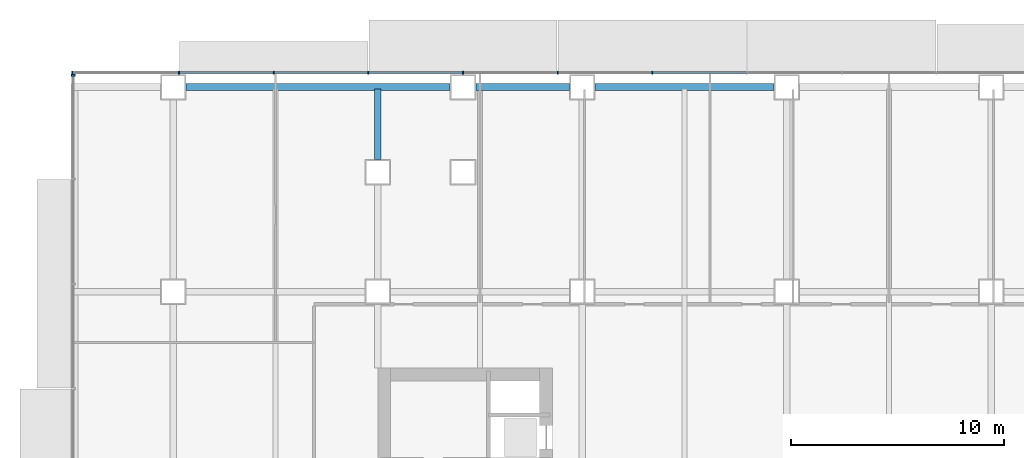
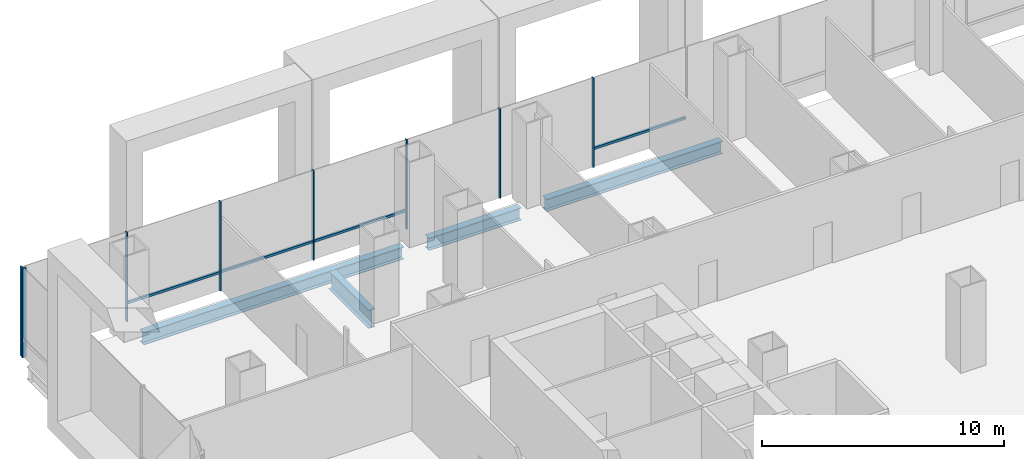
# One storey, part 7 of 23: 12 members, 4 beams, 2 elements without a shape of their own.
"""IFC4 building model written with IfcOpenShell, lengths in metres."""

from ifc_helpers import new_model, si_unit, direction, frame, origin, origin_2d, place, context, subcontext, project, spatial, rectangle, i_section, extrude, material, material_profile, profile_set, type_object, element, aggregate, save


model = new_model("IFC4")

# Units and contexts
model_context = context("Model", 3, precision=1e-05, world=origin(), true_north=direction((0.0, 1.0)))
body_context = subcontext(model_context, "Body", "Model", "MODEL_VIEW")
ifc_project = project(units=[si_unit("LENGTHUNIT", "METRE"), si_unit("AREAUNIT", "SQUARE_METRE"), si_unit("VOLUMEUNIT", "CUBIC_METRE"), si_unit("PLANEANGLEUNIT", "RADIAN"), si_unit("MASSUNIT", "GRAM", prefix="KILO")], contexts=[model_context])

# Site, building, storey
site_placement = place(None, origin())
site = spatial("IfcSite", under=ifc_project, at=site_placement, CompositionType="ELEMENT")
building_placement = place(site_placement, origin())
building = spatial("IfcBuilding", under=site, at=building_placement, Name="Cobrizo Arcos Hotel Tower", CompositionType="ELEMENT")
storey_placement = place(building_placement, frame((0.0, 0.0, 15.5)))
storey = spatial("IfcBuildingStorey", under=building, at=storey_placement, Name="L02", CompositionType="ELEMENT", Elevation=15.5)

# Curtain wall, members
ifc_material_1 = material(Name="Aluminium 6063-T6 anodised bronze", Category="aluminium")
curtain_wall_type_1 = type_object("IfcCurtainWallType", Name="CW-A guest facade", PredefinedType="NOTDEFINED", material=ifc_material_1)
curtain_wall_1_placement = place(storey_placement, origin())
curtain_wall_1 = element("IfcCurtainWall", 1, at=curtain_wall_1_placement, inside=storey, type_object=curtain_wall_type_1, Name="CW-A L02 N face", PredefinedType="NOTDEFINED")
ifc_material_profile_1 = material_profile(ifc_material_1, rectangle(XDim=0.14990234375, YDim=0.06005859375, at=origin_2d()), Name="CW-A mullion 150x60")
ifc_profile_set_1 = profile_set([ifc_material_profile_1], Name="Aluminium 6063-T6 anodised bronze")
member_type_1 = type_object("IfcMemberType", Name="CW-A mullion 150x60", PredefinedType="MULLION", material=ifc_profile_set_1)
member_1_placement = place(storey_placement, frame((-11.111083984375, 24.675048828125, 0.0), z_axis=(0.0, 0.0, 1.0), x_axis=(0.0, 1.0, 0.0)))
member_1 = element("IfcMember", 2, at=member_1_placement, type_object=member_type_1, Name="CW-A mullion 12", PredefinedType="MULLION", context=body_context, shape_type="SweptSolid", body=[
    extrude(rectangle(XDim=0.14990234375, YDim=0.06005859375, at=origin_2d()), origin(), (0.0, 0.0, 1.0), 4.5),
])
member_2_placement = place(storey_placement, frame((-15.5556640625, 24.675048828125, 0.0), z_axis=(0.0, 0.0, 1.0), x_axis=(0.0, 1.0, 0.0)))
member_2 = element("IfcMember", 3, at=member_2_placement, type_object=member_type_1, Name="CW-A mullion 13", PredefinedType="MULLION", context=body_context, shape_type="SweptSolid", body=[
    extrude(rectangle(XDim=0.14990234375, YDim=0.06005859375, at=origin_2d()), origin(), (0.0, 0.0, 1.0), 4.5),
])
member_3_placement = place(storey_placement, frame((-20.0, 24.675048828125, 0.0), z_axis=(0.0, 0.0, 1.0), x_axis=(0.0, 1.0, 0.0)))
member_3 = element("IfcMember", 4, at=member_3_placement, type_object=member_type_1, Name="CW-A mullion 14", PredefinedType="MULLION", context=body_context, shape_type="SweptSolid", body=[
    extrude(rectangle(XDim=0.14990234375, YDim=0.06005859375, at=origin_2d()), origin(), (0.0, 0.0, 1.0), 4.5),
])
member_4_placement = place(storey_placement, frame((-24.4443359375, 24.675048828125, 0.0), z_axis=(0.0, 0.0, 1.0), x_axis=(0.0, 1.0, 0.0)))
member_4 = element("IfcMember", 5, at=member_4_placement, type_object=member_type_1, Name="CW-A mullion 15", PredefinedType="MULLION", context=body_context, shape_type="SweptSolid", body=[
    extrude(rectangle(XDim=0.14990234375, YDim=0.06005859375, at=origin_2d()), origin(), (0.0, 0.0, 1.0), 4.5),
])
member_5_placement = place(storey_placement, frame((-28.888916015625, 24.675048828125, 0.0), z_axis=(0.0, 0.0, 1.0), x_axis=(0.0, 1.0, 0.0)))
member_5 = element("IfcMember", 6, at=member_5_placement, type_object=member_type_1, Name="CW-A mullion 16", PredefinedType="MULLION", context=body_context, shape_type="SweptSolid", body=[
    extrude(rectangle(XDim=0.14990234375, YDim=0.06005859375, at=origin_2d()), origin(), (0.0, 0.0, 1.0), 4.5),
])
member_6_placement = place(storey_placement, frame((-33.333251953125, 24.675048828125, 0.0), z_axis=(0.0, 0.0, 1.0), x_axis=(0.0, 1.0, 0.0)))
member_6 = element("IfcMember", 7, at=member_6_placement, type_object=member_type_1, Name="CW-A mullion 17", PredefinedType="MULLION", context=body_context, shape_type="SweptSolid", body=[
    extrude(rectangle(XDim=0.14990234375, YDim=0.06005859375, at=origin_2d()), origin(), (0.0, 0.0, 1.0), 4.5),
])
member_7_placement = place(storey_placement, frame((-38.344970703125, 24.675048828125, 0.0), z_axis=(0.0, 0.0, 1.0), x_axis=(0.0, 1.0, 0.0)))
member_7 = element("IfcMember", 8, at=member_7_placement, type_object=member_type_1, Name="CW-A mullion 18", PredefinedType="MULLION", context=body_context, shape_type="SweptSolid", body=[
    extrude(rectangle(XDim=0.14990234375, YDim=0.06005859375, at=origin_2d()), origin(), (0.0, 0.0, 1.0), 4.5),
])
ifc_material_profile_2 = material_profile(ifc_material_1, rectangle(XDim=0.10009765625, YDim=0.1201171875, at=origin_2d()), Name="CW-A transom 120x100")
ifc_profile_set_2 = profile_set([ifc_material_profile_2], Name="Aluminium 6063-T6 anodised bronze")
member_type_2 = type_object("IfcMemberType", Name="CW-A transom 120x100", PredefinedType="USERDEFINED", material=ifc_profile_set_2)
member_8_placement = place(storey_placement, frame((-6.69677734375, 24.675048828125, 0.929931640625), z_axis=(-1.0, 0.0, 0.0), x_axis=(0.0, -1.0, 0.0)))
member_8 = element("IfcMember", 9, at=member_8_placement, type_object=member_type_2, Name="CW-A transom 127", ObjectType="TRANSOM", PredefinedType="USERDEFINED", context=body_context, shape_type="SweptSolid", body=[
    extrude(rectangle(XDim=0.10009765625, YDim=0.1201171875, at=origin_2d()), origin(), (0.0, 0.0, 1.0), 4.38427734375),
])
member_9_placement = place(storey_placement, frame((-20.030029296875, 24.675048828125, 0.929931640625), z_axis=(-1.0, 0.0, 0.0), x_axis=(0.0, -1.0, 0.0)))
member_9 = element("IfcMember", 10, at=member_9_placement, type_object=member_type_2, Name="CW-A transom 130", ObjectType="TRANSOM", PredefinedType="USERDEFINED", context=body_context, shape_type="SweptSolid", body=[
    extrude(rectangle(XDim=0.10009765625, YDim=0.1201171875, at=origin_2d()), origin(), (0.0, 0.0, 1.0), 4.384521484375),
])
member_10_placement = place(storey_placement, frame((-24.474365234375, 24.675048828125, 0.929931640625), z_axis=(-1.0, 0.0, 0.0), x_axis=(0.0, -1.0, 0.0)))
member_10 = element("IfcMember", 11, at=member_10_placement, type_object=member_type_2, Name="CW-A transom 131", ObjectType="TRANSOM", PredefinedType="USERDEFINED", context=body_context, shape_type="SweptSolid", body=[
    extrude(rectangle(XDim=0.10009765625, YDim=0.1201171875, at=origin_2d()), origin(), (0.0, 0.0, 1.0), 4.384521484375),
])
member_11_placement = place(storey_placement, frame((-28.9189453125, 24.675048828125, 0.929931640625), z_axis=(-1.0, 0.0, 0.0), x_axis=(0.0, -1.0, 0.0)))
member_11 = element("IfcMember", 12, at=member_11_placement, type_object=member_type_2, Name="CW-A transom 132", ObjectType="TRANSOM", PredefinedType="USERDEFINED", context=body_context, shape_type="SweptSolid", body=[
    extrude(rectangle(XDim=0.10009765625, YDim=0.1201171875, at=origin_2d()), origin(), (0.0, 0.0, 1.0), 4.38427734375),
])
aggregate(curtain_wall_1, [member_1, member_2, member_3, member_4, member_5, member_6, member_7, member_8, member_9, member_10, member_11])

# Curtain wall, member
curtain_wall_type_2 = type_object("IfcCurtainWallType", Name="CW-B podium glazing", PredefinedType="NOTDEFINED", material=ifc_material_1)
curtain_wall_2_placement = place(storey_placement, origin())
curtain_wall_2 = element("IfcCurtainWall", 13, at=curtain_wall_2_placement, inside=storey, type_object=curtain_wall_type_2, Name="CW-B L02 W face", PredefinedType="NOTDEFINED")
ifc_material_profile_3 = material_profile(ifc_material_1, rectangle(XDim=0.199951171875, YDim=0.080078125, at=origin_2d()), Name="CW-B mullion 200x80")
ifc_profile_set_3 = profile_set([ifc_material_profile_3], Name="Aluminium 6063-T6 anodised bronze")
member_type_3 = type_object("IfcMemberType", Name="CW-B mullion 200x80", PredefinedType="MULLION", material=ifc_profile_set_3)
member_12_placement = place(storey_placement, frame((-38.300048828125, 24.56005859375, 0.0), z_axis=(0.0, 0.0, 1.0), x_axis=(-1.0, 0.0, 0.0)))
member_12 = element("IfcMember", 14, at=member_12_placement, type_object=member_type_3, Name="CW-B mullion 1", PredefinedType="MULLION", context=body_context, shape_type="SweptSolid", body=[
    extrude(rectangle(XDim=0.199951171875, YDim=0.080078125, at=origin_2d()), origin(), (0.0, 0.0, 1.0), 4.5),
])
aggregate(curtain_wall_2, [member_12])

# Beams
ifc_material_2 = material(Name="Steel ASTM A992 Grade 50", Category="steel")
ifc_material_profile_4 = material_profile(ifc_material_2, i_section(OverallWidth=0.32763671875, OverallDepth=0.622314453125, WebThickness=0.015380859375, FlangeThickness=0.0244140625, at=origin_2d()), Name="W24X131")
ifc_profile_set_4 = profile_set([ifc_material_profile_4], Name="Steel ASTM A992 Grade 50")
beam_type_1 = type_object("IfcBeamType", Name="W24X131 spandrel", PredefinedType="SPANDREL", material=ifc_profile_set_4)
beam_1_placement = place(storey_placement, frame((-5.39990234375, 24.0, -0.510986328125), z_axis=(-1.0, 0.0, 0.0), x_axis=(0.0, -1.0, 0.0)))
element("IfcBeam", 15, at=beam_1_placement, inside=storey, type_object=beam_type_1, Name="Spandrel beam W24X131, L02, no. 005", PredefinedType="SPANDREL", context=body_context, shape_type="SweptSolid", body=[
    extrude(i_section(OverallWidth=0.32763671875, OverallDepth=0.622314453125, WebThickness=0.015380859375, FlangeThickness=0.0244140625, at=origin_2d()), origin(), (0.0, 0.0, 1.0), 8.400146484375),
])
beam_2_placement = place(storey_placement, frame((-15.0, 24.0, -0.510986328125), z_axis=(-1.0, 0.0, 0.0), x_axis=(0.0, -1.0, 0.0)))
element("IfcBeam", 16, at=beam_2_placement, inside=storey, type_object=beam_type_1, Name="Spandrel beam W24X131, L02, no. 006", PredefinedType="SPANDREL", context=body_context, shape_type="SweptSolid", body=[
    extrude(i_section(OverallWidth=0.32763671875, OverallDepth=0.622314453125, WebThickness=0.015380859375, FlangeThickness=0.0244140625, at=origin_2d()), origin(), (0.0, 0.0, 1.0), 4.39990234375),
])
beam_3_placement = place(storey_placement, frame((-20.60009765625, 24.0, -0.510986328125), z_axis=(-1.0, 0.0, 0.0), x_axis=(0.0, -1.0, 0.0)))
element("IfcBeam", 17, at=beam_3_placement, inside=storey, type_object=beam_type_1, Name="Spandrel beam W24X131, L02, no. 007", PredefinedType="SPANDREL", context=body_context, shape_type="SweptSolid", body=[
    extrude(i_section(OverallWidth=0.32763671875, OverallDepth=0.622314453125, WebThickness=0.015380859375, FlangeThickness=0.0244140625, at=origin_2d()), origin(), (0.0, 0.0, 1.0), 12.39990234375),
])
ifc_material_profile_5 = material_profile(ifc_material_2, i_section(OverallWidth=0.307373046875, OverallDepth=0.927001953125, WebThickness=0.01953125, FlangeThickness=0.031982421875, at=origin_2d()), Name="W36X194")
ifc_profile_set_5 = profile_set([ifc_material_profile_5], Name="Steel ASTM A992 Grade 50")
beam_type_2 = type_object("IfcBeamType", Name="W36X194 podium girder", PredefinedType="BEAM", material=ifc_profile_set_5)
beam_4_placement = place(storey_placement, frame((-24.0, 20.60009765625, -0.66357421875), z_axis=(0.0, 1.0, 0.0), x_axis=(-1.0, 0.0, 0.0)))
element("IfcBeam", 18, at=beam_4_placement, inside=storey, type_object=beam_type_2, Name="Podium girder PG1, L02, no. 045", PredefinedType="BEAM", context=body_context, shape_type="SweptSolid", body=[
    extrude(i_section(OverallWidth=0.307373046875, OverallDepth=0.927001953125, WebThickness=0.01953125, FlangeThickness=0.031982421875, at=origin_2d()), origin(), (0.0, 0.0, 1.0), 3.309814453125),
])

save(model, "model.ifc")
